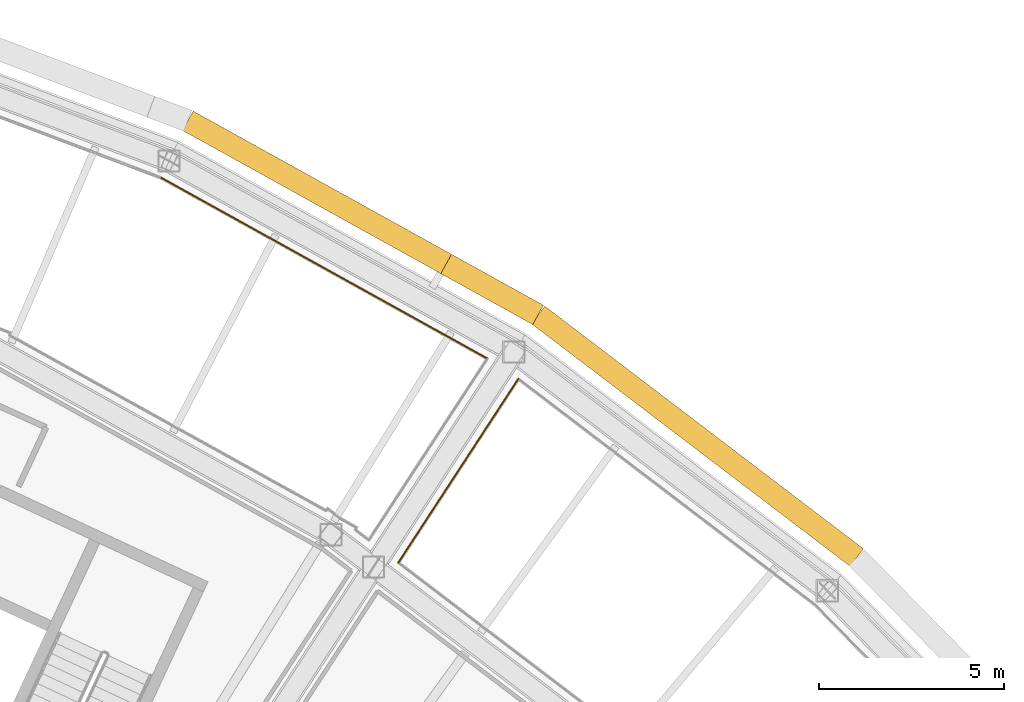
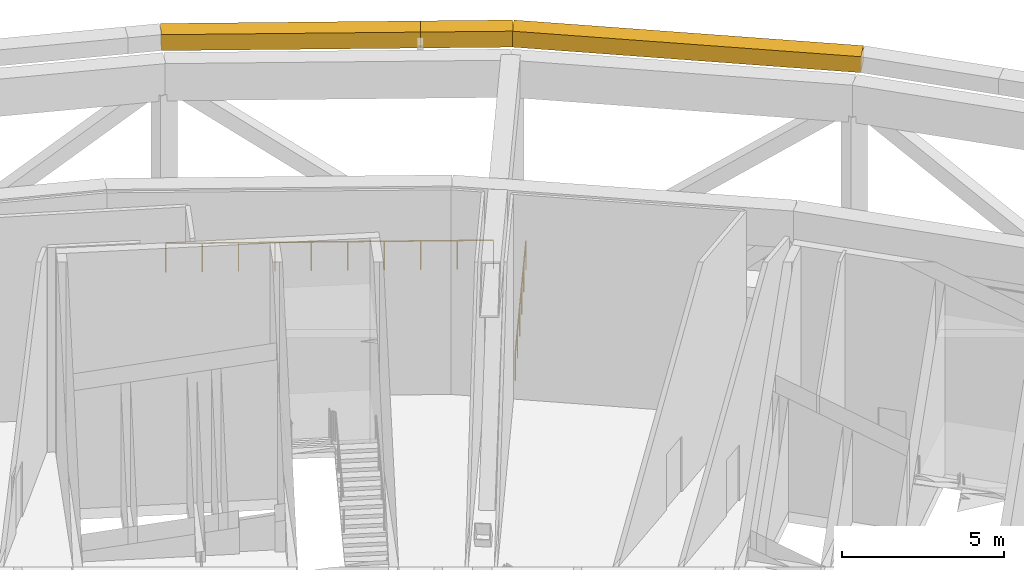
# One storey, part 26 of 27: 3 coverings, 2 railings.
"""IFC4 building model written with IfcOpenShell, lengths in metres."""

from ifc_helpers import new_model, si_unit, direction, frame, origin, origin_2d, place, context, subcontext, project, spatial, rectangle, circle, extrude, material, material_profile, profile_set, type_object, element, save


model = new_model("IFC4")

# Units and contexts
model_context = context("Model", 3, precision=1e-05, world=origin(), true_north=direction((0.0, 1.0)))
body_context = subcontext(model_context, "Body", "Model", "MODEL_VIEW")
ifc_project = project(units=[si_unit("LENGTHUNIT", "METRE"), si_unit("AREAUNIT", "SQUARE_METRE"), si_unit("VOLUMEUNIT", "CUBIC_METRE"), si_unit("PLANEANGLEUNIT", "RADIAN"), si_unit("MASSUNIT", "GRAM", prefix="KILO")], contexts=[model_context])

# Site, building, storey
site_placement = place(None, origin())
site = spatial("IfcSite", under=ifc_project, at=site_placement, CompositionType="ELEMENT")
building_placement = place(site_placement, origin())
building = spatial("IfcBuilding", under=site, at=building_placement, Name="Tuul Gate Civic Tower", CompositionType="ELEMENT")
storey_placement = place(building_placement, frame((0.0, 0.0, 201.5)))
storey = spatial("IfcBuildingStorey", under=building, at=storey_placement, Name="Wind floor 1", CompositionType="ELEMENT", Elevation=201.5)

# Railings
ifc_material_1 = material(Name="Painted steel", Category="steel")
railing_type = type_object("IfcRailingType", Name="Slot guard", PredefinedType="GUARDRAIL", material=ifc_material_1)
railing_1_placement = place(storey_placement, frame((45.62939453125, 6.3662109375, 0.0)))
element("IfcRailing", 1, at=railing_1_placement, inside=storey, type_object=railing_type, Name="Guard", PredefinedType="GUARDRAIL", context=body_context, shape_type="SweptSolid", body=[
    extrude(circle(Radius=0.02392578125, at=origin_2d()), frame((0.0, 0.0, 1.076171875), z_axis=(-0.874643525029, 0.484766649146, 0.0), x_axis=(-0.484766649146, -0.874643525029, 0.0)), (0.0, 0.0, 1.0), 10.103759765625),
    extrude(circle(Radius=0.02099609375, at=origin_2d()), origin(), (0.0, 0.0, 1.0), 1.052001953125),
    extrude(circle(Radius=0.02099609375, at=origin_2d()), frame((-0.98193359375, 0.544189453125, 0.0)), (0.0, 0.0, 1.0), 1.052001953125),
    extrude(circle(Radius=0.02099609375, at=origin_2d()), frame((-1.9638671875, 1.08837890625, 0.0)), (0.0, 0.0, 1.0), 1.052001953125),
    extrude(circle(Radius=0.02099609375, at=origin_2d()), frame((-2.94580078125, 1.632568359375, 0.0)), (0.0, 0.0, 1.0), 1.052001953125),
    extrude(circle(Radius=0.02099609375, at=origin_2d()), frame((-3.927734375, 2.1767578125, 0.0)), (0.0, 0.0, 1.0), 1.052001953125),
    extrude(circle(Radius=0.02099609375, at=origin_2d()), frame((-4.909423828125, 2.72119140625, 0.0)), (0.0, 0.0, 1.0), 1.052001953125),
    extrude(circle(Radius=0.02099609375, at=origin_2d()), frame((-5.891357421875, 3.265380859375, 0.0)), (0.0, 0.0, 1.0), 1.052001953125),
    extrude(circle(Radius=0.02099609375, at=origin_2d()), frame((-6.873291015625, 3.8095703125, 0.0)), (0.0, 0.0, 1.0), 1.052001953125),
    extrude(circle(Radius=0.02099609375, at=origin_2d()), frame((-7.855224609375, 4.353759765625, 0.0)), (0.0, 0.0, 1.0), 1.052001953125),
    extrude(circle(Radius=0.02099609375, at=origin_2d()), frame((-8.837158203125, 4.89794921875, 0.0)), (0.0, 0.0, 1.0), 1.052001953125),
])
railing_2_placement = place(storey_placement, frame((46.466796875, 5.819580078125, 0.0)))
element("IfcRailing", 2, at=railing_2_placement, inside=storey, type_object=railing_type, Name="Guard", PredefinedType="GUARDRAIL", context=body_context, shape_type="SweptSolid", body=[
    extrude(circle(Radius=0.02392578125, at=origin_2d()), frame((0.0, 0.0, 1.076171875), z_axis=(-0.546724353741, -0.837312654285, 0.0), x_axis=(0.837312654285, -0.546724353741, 0.0)), (0.0, 0.0, 1.0), 5.95263671875),
    extrude(circle(Radius=0.02099609375, at=origin_2d()), origin(), (0.0, 0.0, 1.0), 1.052001953125),
    extrude(circle(Radius=0.02099609375, at=origin_2d()), frame((-0.65087890625, -0.996826171875, 0.0)), (0.0, 0.0, 1.0), 1.052001953125),
    extrude(circle(Radius=0.02099609375, at=origin_2d()), frame((-1.3017578125, -1.99365234375, 0.0)), (0.0, 0.0, 1.0), 1.052001953125),
    extrude(circle(Radius=0.02099609375, at=origin_2d()), frame((-1.95263671875, -2.990478515625, 0.0)), (0.0, 0.0, 1.0), 1.052001953125),
    extrude(circle(Radius=0.02099609375, at=origin_2d()), frame((-2.603515625, -3.9873046875, 0.0)), (0.0, 0.0, 1.0), 1.052001953125),
    extrude(circle(Radius=0.02099609375, at=origin_2d()), frame((-3.25439453125, -4.984130859375, 0.0)), (0.0, 0.0, 1.0), 1.052001953125),
])

# Coverings
ifc_material_2 = material(Name="Terracotta baguette", Category="masonry")
ifc_material_profile = material_profile(ifc_material_2, rectangle(XDim=0.60009765625, YDim=0.60009765625, at=origin_2d()), Name="Terracotta baguette screen frame")
ifc_profile_set = profile_set([ifc_material_profile], Name="Terracotta baguette")
covering_type = type_object("IfcCoveringType", Name="Terracotta baguette screen frame", PredefinedType="CLADDING", material=ifc_profile_set)
covering_1_placement = place(storey_placement, frame((44.50927734375, 8.931396484375, 7.64990234375), z_axis=(-0.874641739175, 0.484769871272, 0.0), x_axis=(-0.484769871272, -0.874641739175, 0.0)))
element("IfcCovering", 3, at=covering_1_placement, inside=storey, type_object=covering_type, Name="Baguette 45", PredefinedType="CLADDING", context=body_context, shape_type="SweptSolid", body=[
    extrude(rectangle(XDim=0.60009765625, YDim=0.60009765625, at=origin_2d()), origin(), (0.0, 0.0, 1.0), 8.003662109375),
])
covering_2_placement = place(storey_placement, frame((55.633544921875, 0.976806640625, 7.64990234375), z_axis=(-0.795618643442, 0.605797799771, 0.0), x_axis=(-0.605797799771, -0.795618643442, 0.0)))
element("IfcCovering", 4, at=covering_2_placement, inside=storey, type_object=covering_type, Name="Baguette 377", PredefinedType="CLADDING", context=body_context, shape_type="SweptSolid", body=[
    extrude(rectangle(XDim=0.60009765625, YDim=0.60009765625, at=origin_2d()), origin(), (0.0, 0.0, 1.0), 10.851318359375),
])
covering_3_placement = place(storey_placement, frame((47.0, 7.550537109375, 7.64990234375), z_axis=(-0.874585570006, 0.484871200152, 0.0), x_axis=(-0.484871200152, -0.874585570006, 0.0)))
element("IfcCovering", 5, at=covering_3_placement, inside=storey, type_object=covering_type, Name="Baguette 378", PredefinedType="CLADDING", context=body_context, shape_type="SweptSolid", body=[
    extrude(rectangle(XDim=0.60009765625, YDim=0.60009765625, at=origin_2d()), origin(), (0.0, 0.0, 1.0), 2.847900390625),
])

save(model, "model.ifc")
